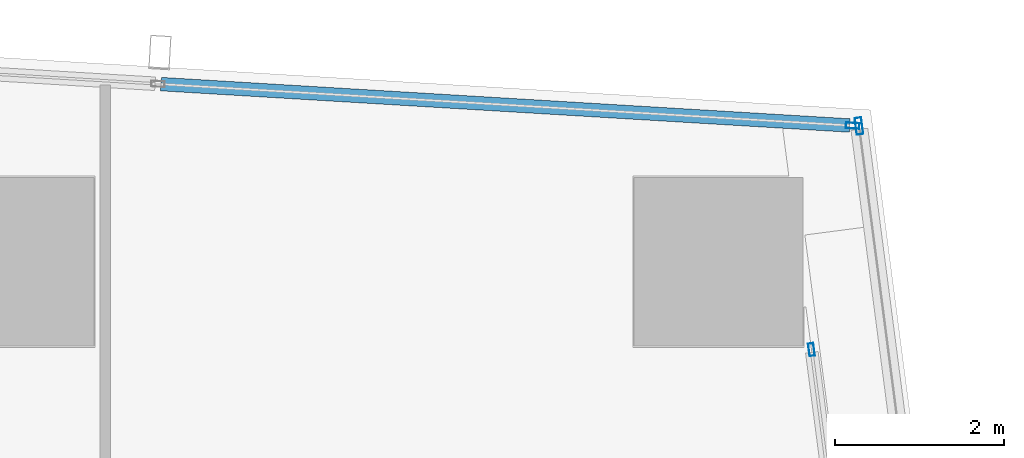
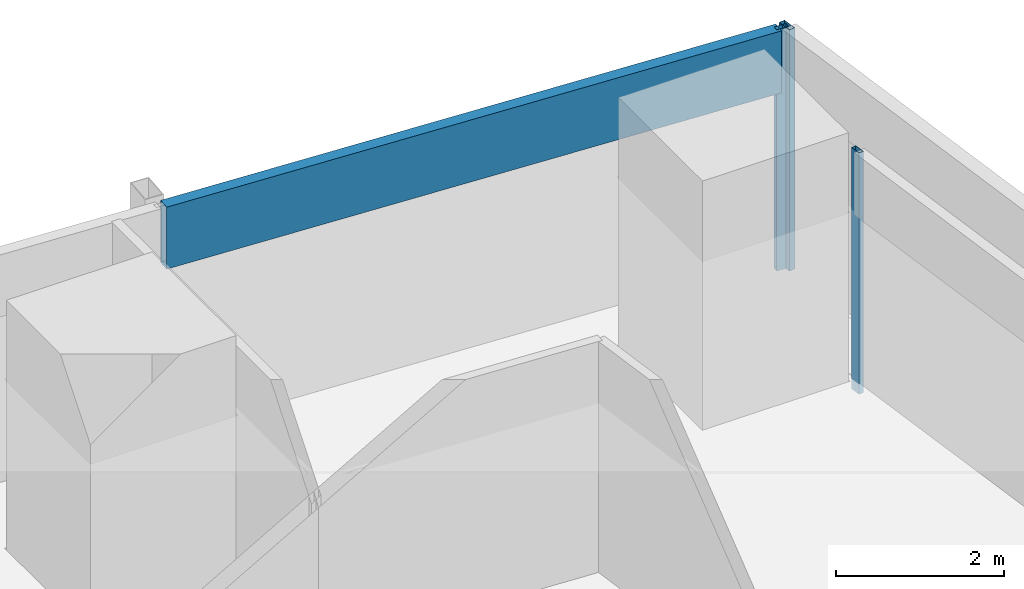
# One storey, part 20 of 39: 4 members, 3 elements without a shape of their own.
"""IFC4 building model written with IfcOpenShell, lengths in metres."""

import ifcopenshell
import ifcopenshell.guid

model = None  # the IFC model being written
_history = None  # IfcOwnerHistory: only IFC2X3 demands one
_inside = {}  # id of a spatial element -> (the spatial element, [elements in it])
_under = {}  # id of a project, library or spatial element -> (it, [spatial elements below it])
_declared = {}  # id of a project -> (the project, [libraries it declares])
_typed = {}  # id of a type object -> (the type object, [elements of that type])
_made_of = {}  # id of a material, layer set ... -> (it, [elements and type objects made of it])


def new_model(schema):
    """Start an empty IFC model of exactly this schema.

    Asked for "IFC4X3", IfcOpenShell would pick the latest addendum, in which some entities
    have other attributes; the version numbers below select the first issue.
    IFC2X3 requires an IfcOwnerHistory on every rooted entity: one is made here for all.
    """
    global model, _history
    if schema == "IFC4X3":
        model = ifcopenshell.file(schema_version=(4, 3, 0, 0))
    else:
        model = ifcopenshell.file(schema=schema)
    _inside.clear()
    _under.clear()
    _declared.clear()
    _typed.clear()
    _made_of.clear()
    _history = None
    if model.schema == "IFC2X3":
        org = make("IfcOrganization", Name="unknown")
        user = make(
            "IfcPersonAndOrganization",
            ThePerson=make("IfcPerson", FamilyName="unknown"),
            TheOrganization=org,
        )
        app = make(
            "IfcApplication",
            ApplicationDeveloper=org,
            Version="unknown",
            ApplicationFullName="unknown",
            ApplicationIdentifier="unknown",
        )
        _history = make(
            "IfcOwnerHistory",
            OwningUser=user,
            OwningApplication=app,
            ChangeAction="ADDED",
            CreationDate=0,
        )
    return model


def make(cls, **values):
    """One entity of the class cls with the attributes given. An attribute that is None is left unset."""
    return model.create_entity(
        cls, **{name: value for name, value in values.items() if value is not None}
    )


def rooted(cls, **values):
    """An entity with a GlobalId (a new one), such as an element, a storey or a relation."""
    return make(cls, GlobalId=ifcopenshell.guid.new(), OwnerHistory=_history, **values)


def si_unit(unit_type, name, prefix=None):
    """IfcSIUnit, for example si_unit("LENGTHUNIT", "METRE", prefix="MILLI")."""
    return make("IfcSIUnit", UnitType=unit_type, Prefix=prefix, Name=name)


def assignment(units):
    """IfcUnitAssignment: the units of a project."""
    return None if units is None else make("IfcUnitAssignment", Units=units)


def point(xyz):
    """IfcCartesianPoint."""
    return None if xyz is None else make("IfcCartesianPoint", Coordinates=xyz)


def direction(xyz):
    """IfcDirection."""
    return None if xyz is None else make("IfcDirection", DirectionRatios=xyz)


def frame(location, z_axis=None, x_axis=None):
    """IfcAxis2Placement3D, a coordinate frame: its origin and axes. An axis left out is left unset."""
    return make(
        "IfcAxis2Placement3D",
        Location=point(location),
        Axis=direction(z_axis),
        RefDirection=direction(x_axis),
    )


def frame_2d(location, x_axis=None):
    """IfcAxis2Placement2D, a coordinate frame in the plane: its origin and x axis."""
    return make(
        "IfcAxis2Placement2D", Location=point(location), RefDirection=direction(x_axis)
    )


def origin():
    """The frame at (0, 0, 0) with its axes left unset."""
    return frame((0.0, 0.0, 0.0))


def origin_2d():
    """The frame at (0, 0) in the plane with its x axis left unset."""
    return frame_2d((0.0, 0.0))


def place(relative_to, where):
    """IfcLocalPlacement: puts the frame where relative to a parent placement (None: the world)."""
    return make(
        "IfcLocalPlacement", PlacementRelTo=relative_to, RelativePlacement=where
    )


def context(
    kind, dimensions, precision=None, world=None, true_north=None, identifier=None
):
    """IfcGeometricRepresentationContext, for example the 3D "Model" context."""
    return make(
        "IfcGeometricRepresentationContext",
        ContextIdentifier=identifier,
        ContextType=kind,
        CoordinateSpaceDimension=dimensions,
        Precision=precision,
        WorldCoordinateSystem=world,
        TrueNorth=true_north,
    )


def subcontext(parent, identifier, kind, view, scale=None):
    """IfcGeometricRepresentationSubContext, for example "Body" below "Model"."""
    return make(
        "IfcGeometricRepresentationSubContext",
        ContextIdentifier=identifier,
        ContextType=kind,
        ParentContext=parent,
        TargetScale=scale,
        TargetView=view,
    )


def project(units=None, contexts=None):
    """IfcProject with its units and contexts."""
    return rooted(
        "IfcProject",
        Name="project",
        RepresentationContexts=contexts,
        UnitsInContext=assignment(units),
    )


def spatial(cls, under=None, at=None, **own):
    """A site, building, storey or space (cls), placed at a placement, below another one or the project."""
    s = rooted(cls, ObjectPlacement=at, **own)
    if under is not None:
        _under.setdefault(under.id(), (under, []))[1].append(s)
    return s


def profile(cls, at=None, kind="AREA", **sizes):
    """A parametric profile (cls). Its sizes go by their IFC names, for example OverallWidth=200.0."""
    return make(cls, ProfileType=kind, Position=at, **sizes)


def hollow_rectangle(**sizes):
    """IfcRectangleHollowProfileDef."""
    return profile("IfcRectangleHollowProfileDef", **sizes)


def extrude(swept, where, along, depth):
    """IfcExtrudedAreaSolid: the profile swept, set in the frame where, extruded along a direction by depth."""
    return make(
        "IfcExtrudedAreaSolid",
        SweptArea=swept,
        Position=where,
        ExtrudedDirection=direction(along),
        Depth=depth,
    )


def shape(context_of_items, identifier, shape_type, items):
    """IfcShapeRepresentation: the items that make up one representation, for example the "Body"."""
    return make(
        "IfcShapeRepresentation",
        ContextOfItems=context_of_items,
        RepresentationIdentifier=identifier,
        RepresentationType=shape_type,
        Items=items,
    )


def material(Name=None, Category=None):
    """IfcMaterial."""
    return make("IfcMaterial", Name=Name, Category=Category)


def material_profile(
    of_material, cross_section, Name=None, Category=None, Priority=None
):
    """IfcMaterialProfile: a cross section and its material."""
    return make(
        "IfcMaterialProfile",
        Name=Name,
        Material=of_material,
        Profile=cross_section,
        Priority=Priority,
        Category=Category,
    )


def profile_set(profiles, Name=None, composite=None):
    """IfcMaterialProfileSet."""
    return make(
        "IfcMaterialProfileSet",
        Name=Name,
        MaterialProfiles=profiles,
        CompositeProfile=composite,
    )


def made_of(thing, what):
    """Note that an element or type object is made of a material, layer set ...; save() writes the relation."""
    if what is not None:
        _made_of.setdefault(what.id(), (what, []))[1].append(thing)
    return thing


def type_object(cls, material=None, **own):
    """A type object (cls), such as IfcWallType, which elements share."""
    return made_of(rooted(cls, **own), material)


def element(
    cls,
    number,
    at=None,
    inside=None,
    cuts=None,
    type_object=None,
    material=None,
    context=None,
    identifier="Body",
    shape_type=None,
    held_by="IfcProductDefinitionShape",
    body=None,
    shapes=None,
    **own,
):
    """One element of the class cls, such as IfcWall. Its Tag is "e" and its number.

    at: its placement. inside: the storey or other place that contains it. cuts: it is an
    opening in that element (IfcRelVoidsElement). A single representation is given by context,
    identifier, shape_type and body (its items); several are given by shapes. held_by: the class
    of the entity that holds the representations. save() writes the other relations.
    """
    e = rooted(cls, Tag="e%d" % number, ObjectPlacement=at, **own)
    if body is not None:
        shapes = [shape(context, identifier, shape_type, body)]
    if shapes is not None:
        e.Representation = make(held_by, Representations=shapes)
    if inside is not None:
        _inside.setdefault(inside.id(), (inside, []))[1].append(e)
    if cuts is not None:
        rooted(
            "IfcRelVoidsElement", RelatingBuildingElement=cuts, RelatedOpeningElement=e
        )
    if type_object is not None:
        _typed.setdefault(type_object.id(), (type_object, []))[1].append(e)
    return made_of(e, material)


def aggregate(whole, parts):
    """IfcRelAggregates: a whole, such as a stair, and the parts it consists of."""
    return rooted("IfcRelAggregates", RelatingObject=whole, RelatedObjects=parts)


def save(model, path):
    """Write the relations noted so far, then the file.

    IfcRelAggregates (storeys below a building ...), IfcRelContainedInSpatialStructure (elements
    in a storey), IfcRelDefinesByType, IfcRelAssociatesMaterial and IfcRelDeclares: one each for
    every whole, place, type object, material and project.
    """
    for whole, parts in _under.values():
        aggregate(whole, parts)
    for where, things in _inside.values():
        rooted(
            "IfcRelContainedInSpatialStructure",
            RelatedElements=things,
            RelatingStructure=where,
        )
    for kind, things in _typed.values():
        rooted("IfcRelDefinesByType", RelatedObjects=things, RelatingType=kind)
    for what, things in _made_of.values():
        rooted("IfcRelAssociatesMaterial", RelatedObjects=things, RelatingMaterial=what)
    for by, libraries in _declared.values():
        rooted("IfcRelDeclares", RelatingContext=by, RelatedDefinitions=libraries)
    model.write(path)


model = new_model("IFC4")

# Units and contexts
model_context = context("Model", 3, precision=1e-05, world=origin(), true_north=direction((0.0, 1.0)))
body_context = subcontext(model_context, "Body", "Model", "MODEL_VIEW")
ifc_project = project(units=[si_unit("LENGTHUNIT", "METRE"), si_unit("AREAUNIT", "SQUARE_METRE"), si_unit("VOLUMEUNIT", "CUBIC_METRE"), si_unit("PLANEANGLEUNIT", "RADIAN"), si_unit("MASSUNIT", "GRAM", prefix="KILO")], contexts=[model_context])

# Site, building, storey
site_placement = place(None, origin())
site = spatial("IfcSite", under=ifc_project, at=site_placement, CompositionType="ELEMENT")
building_placement = place(site_placement, origin())
building = spatial("IfcBuilding", under=site, at=building_placement, Name="Rekha Terrace Tower", CompositionType="ELEMENT")
storey_placement = place(building_placement, frame((0.0, 0.0, 151.550048828125)))
storey = spatial("IfcBuildingStorey", under=building, at=storey_placement, Name="L38", CompositionType="ELEMENT", Elevation=151.550048828125)

# Curtain wall, member
ifc_material_1 = material(Name="Aluminium framing", Category="aluminium")
curtain_wall_type_1 = type_object("IfcCurtainWallType", Name="CW1 double skin inner glazing", PredefinedType="USERDEFINED", material=ifc_material_1)
curtain_wall_1_placement = place(storey_placement, origin())
curtain_wall_1 = element("IfcCurtainWall", 1, at=curtain_wall_1_placement, inside=storey, type_object=curtain_wall_type_1, Name="CW1 double skin inner glazing", ObjectType="DOUBLE SKIN INNER GLAZING", PredefinedType="USERDEFINED")
ifc_material_2 = material(Name="Aluminium mullion section", Category="aluminium")
ifc_material_profile_1 = material_profile(ifc_material_2, hollow_rectangle(XDim=0.06494140625, YDim=0.14990234375, WallThickness=0.00390625, at=origin_2d()), Name="AL RHS 65x150")
ifc_profile_set_1 = profile_set([ifc_material_profile_1], Name="Aluminium mullion section")
member_type_1 = type_object("IfcMemberType", Name="CW1 mullion RHS 65 x 150", PredefinedType="MULLION", material=ifc_profile_set_1)
member_1_placement = place(storey_placement, frame((68.30078125, 57.76025390625, 0.0), z_axis=(0.0, 0.0, 1.0), x_axis=(-0.991629186237, -0.129118383675, 0.0)))
member_1 = element("IfcMember", 2, at=member_1_placement, type_object=member_type_1, Name="CW1 mullion 2", PredefinedType="MULLION", context=body_context, shape_type="SweptSolid", body=[
    extrude(hollow_rectangle(XDim=0.06494140625, YDim=0.14990234375, WallThickness=0.00390625, at=origin_2d()), origin(), (0.0, 0.0, 1.0), 3.5),
])
aggregate(curtain_wall_1, [member_1])

curtain_wall_type_2 = type_object("IfcCurtainWallType", Name="CW2 double skin outer glazing", PredefinedType="USERDEFINED", material=ifc_material_1)
curtain_wall_2_placement = place(storey_placement, origin())
curtain_wall_2 = element("IfcCurtainWall", 3, at=curtain_wall_2_placement, inside=storey, type_object=curtain_wall_type_2, Name="CW2 double skin outer glazing", ObjectType="DOUBLE SKIN OUTER GLAZING", PredefinedType="USERDEFINED")
ifc_material_profile_2 = material_profile(ifc_material_2, hollow_rectangle(XDim=0.080078125, YDim=0.199951171875, WallThickness=0.00390625, at=origin_2d()), Name="AL RHS 80x200")
ifc_profile_set_2 = profile_set([ifc_material_profile_2], Name="Aluminium mullion section")
member_type_2 = type_object("IfcMemberType", Name="CW2 mullion RHS 80 x 200", PredefinedType="MULLION", material=ifc_profile_set_2)
member_2_placement = place(storey_placement, frame((68.863525390625, 60.408447265625, 0.0), z_axis=(0.0, 0.0, 1.0), x_axis=(-0.991629186244, -0.129118383623, 0.0)))
member_2 = element("IfcMember", 4, at=member_2_placement, type_object=member_type_2, Name="CW2 mullion 3", PredefinedType="MULLION", context=body_context, shape_type="SweptSolid", body=[
    extrude(hollow_rectangle(XDim=0.080078125, YDim=0.199951171875, WallThickness=0.00390625, at=origin_2d()), origin(), (0.0, 0.0, 1.0), 3.5),
])
aggregate(curtain_wall_2, [member_2])

# Curtain wall, members
curtain_wall_type_3 = type_object("IfcCurtainWallType", Name="CW3 north unitised glazing", PredefinedType="USERDEFINED", material=ifc_material_1)
curtain_wall_3_placement = place(storey_placement, origin())
curtain_wall_3 = element("IfcCurtainWall", 5, at=curtain_wall_3_placement, inside=storey, type_object=curtain_wall_type_3, Name="CW3 unitised curtain wall", ObjectType="UNITISED CURTAIN WALL", PredefinedType="USERDEFINED")
ifc_material_profile_3 = material_profile(ifc_material_2, hollow_rectangle(XDim=0.070068359375, YDim=0.159912109375, WallThickness=0.00390625, at=origin_2d()), Name="AL RHS 70x160")
ifc_profile_set_3 = profile_set([ifc_material_profile_3], Name="Aluminium mullion section")
member_type_3 = type_object("IfcMemberType", Name="CW3 mullion RHS 70 x 160", PredefinedType="MULLION", material=ifc_profile_set_3)
member_3_placement = place(storey_placement, frame((68.7880859375, 60.412353515625, 0.0), z_axis=(0.0, 0.0, 1.0), x_axis=(-0.059987926837, -0.998199102701, 0.0)))
member_3 = element("IfcMember", 6, at=member_3_placement, type_object=member_type_3, Name="CW3 mullion 1", PredefinedType="MULLION", context=body_context, shape_type="SweptSolid", body=[
    extrude(hollow_rectangle(XDim=0.070068359375, YDim=0.159912109375, WallThickness=0.00390625, at=origin_2d()), origin(), (0.0, 0.0, 1.0), 3.5),
])
ifc_material_3 = material(Name="Insulated aluminium spandrel box", Category="aluminium")
ifc_material_profile_4 = material_profile(ifc_material_3, hollow_rectangle(XDim=0.159912109375, YDim=0.89990234375, WallThickness=0.0029296875, at=origin_2d()), Name="AL SPANDREL BOX 160x900")
ifc_profile_set_4 = profile_set([ifc_material_profile_4], Name="Insulated aluminium spandrel box")
member_type_4 = type_object("IfcMemberType", Name="CW3 spandrel transom 160 x 900", PredefinedType="USERDEFINED", material=ifc_profile_set_4)
member_4_placement = place(storey_placement, frame((68.753173828125, 60.41455078125, 3.050048828125), z_axis=(-0.998198874769, 0.05999171951, 0.0), x_axis=(-0.05999171951, -0.998198874769, 0.0)))
member_4 = element("IfcMember", 7, at=member_4_placement, type_object=member_type_4, Name="CW3 spandrel transom 1", ObjectType="TRANSOM", PredefinedType="USERDEFINED", context=body_context, shape_type="SweptSolid", body=[
    extrude(hollow_rectangle(XDim=0.159912109375, YDim=0.89990234375, WallThickness=0.0029296875, at=origin_2d()), origin(), (0.0, 0.0, 1.0), 8.171630859375),
])
aggregate(curtain_wall_3, [member_3, member_4])

save(model, "model.ifc")
